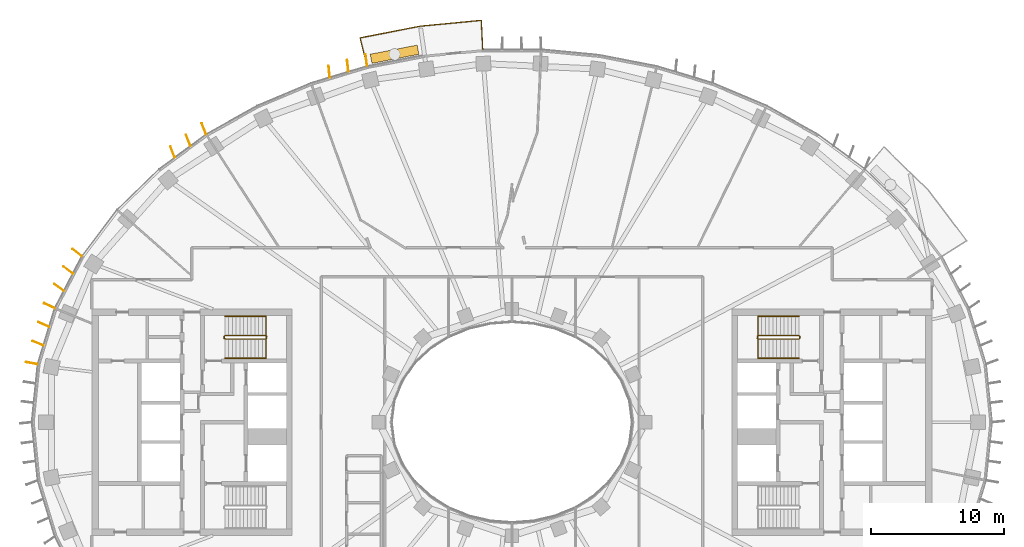
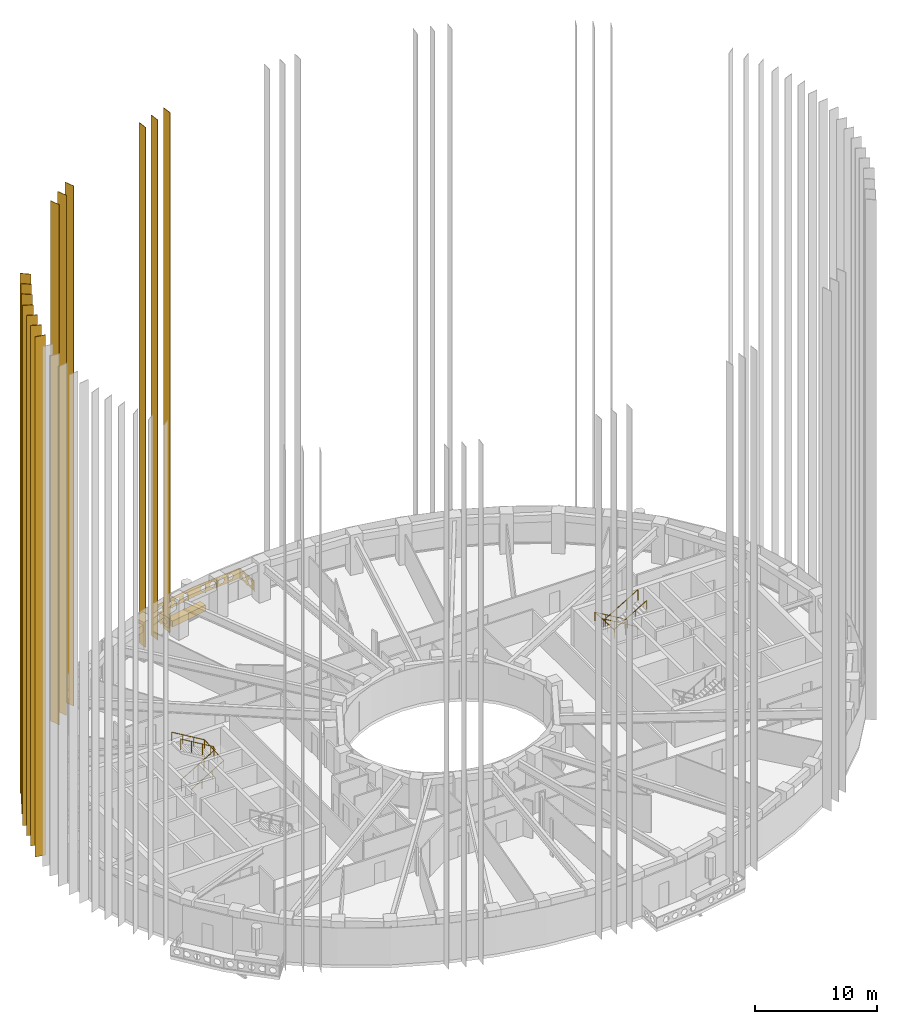
# One storey, part 16 of 19: 14 coverings, 5 railings.
"""IFC4 building model written with IfcOpenShell, lengths in metres."""

from ifc_helpers import new_model, si_unit, direction, frame, origin, origin_2d, place, context, subcontext, project, spatial, polyline, rectangle, outline, extrude, material, material_profile, profile_set, type_object, element, save


model = new_model("IFC4")

# Units and contexts
model_context = context("Model", 3, precision=1e-05, world=origin(), true_north=direction((0.0, 1.0)))
body_context = subcontext(model_context, "Body", "Model", "MODEL_VIEW")
ifc_project = project(units=[si_unit("LENGTHUNIT", "METRE"), si_unit("AREAUNIT", "SQUARE_METRE"), si_unit("VOLUMEUNIT", "CUBIC_METRE"), si_unit("PLANEANGLEUNIT", "RADIAN"), si_unit("MASSUNIT", "GRAM", prefix="KILO")], contexts=[model_context])

# Site, building, storey
site_placement = place(None, origin())
site = spatial("IfcSite", under=ifc_project, at=site_placement, CompositionType="ELEMENT")
building_placement = place(site_placement, origin())
building = spatial("IfcBuilding", under=site, at=building_placement, Name="Noorbagh Ring Tower", CompositionType="ELEMENT")
storey_placement = place(building_placement, frame((0.0, 0.0, 233.5)))
storey = spatial("IfcBuildingStorey", under=building, at=storey_placement, Name="L48", CompositionType="ELEMENT", Elevation=233.5)

# Railings
ifc_material_1 = material(Name="Stainless steel", Category="steel")
railing_type_1 = type_object("IfcRailingType", Name="CORE-STAIR-GUARD", PredefinedType="GUARDRAIL", material=ifc_material_1)
railing_1_placement = place(storey_placement, frame((-21.580078125, 6.300048828125, 0.0)))
element("IfcRailing", 1, at=railing_1_placement, inside=storey, type_object=railing_type_1, Name="L48 ST1 stair guard", PredefinedType="GUARDRAIL", context=body_context, shape_type="SweptSolid", body=[
    extrude(rectangle(XDim=0.048095703125, YDim=0.048095703125, at=origin_2d()), frame((0.0, 0.0, 1.076171875), z_axis=(0.0, 1.0, 0.0), x_axis=(-1.0, 0.0, 0.0)), (0.0, 0.0, 1.0), 0.14990234375),
    extrude(rectangle(XDim=0.048095703125, YDim=0.048095703125, at=origin_2d()), frame((0.0, 0.14990234375, 1.076171875), z_axis=(0.188775798145, -0.754182335027, 0.628945707965), x_axis=(0.970072785993, 0.242814311512, 0.0)), (0.0, 0.0, 1.0), 0.26513671875),
    extrude(rectangle(XDim=0.048095703125, YDim=0.048095703125, at=origin_2d()), frame((0.050048828125, -0.050048828125, 1.24267578125), z_axis=(0.859308565015, 0.0, 0.511457515432), x_axis=(0.0, 1.0, 0.0)), (0.0, 0.0, 1.0), 3.58447265625),
    extrude(rectangle(XDim=0.048095703125, YDim=0.048095703125, at=origin_2d()), frame((3.130126953125, -0.050048828125, 3.076171875), z_axis=(0.707106781187, 0.707106781187, 0.0), x_axis=(-0.707106781187, 0.707106781187, 0.0)), (0.0, 0.0, 1.0), 0.07080078125),
    extrude(rectangle(XDim=0.048095703125, YDim=0.048095703125, at=origin_2d()), frame((3.18017578125, 0.0, 3.076171875), z_axis=(0.0, 1.0, 0.0), x_axis=(-1.0, 0.0, 0.0)), (0.0, 0.0, 1.0), 0.14990234375),
    extrude(rectangle(XDim=0.048095703125, YDim=0.048095703125, at=origin_2d()), frame((3.18017578125, 0.14990234375, 3.076171875), z_axis=(-0.27628659633, 0.27628659633, 0.920506074601), x_axis=(-0.707106781187, -0.707106781187, 0.0)), (0.0, 0.0, 1.0), 0.18115234375),
    extrude(rectangle(XDim=0.048095703125, YDim=0.048095703125, at=origin_2d()), frame((3.130126953125, 0.199951171875, 3.24267578125), z_axis=(-0.859308565015, 0.0, 0.511457515432), x_axis=(0.0, -1.0, 0.0)), (0.0, 0.0, 1.0), 3.58447265625),
    extrude(rectangle(XDim=0.0419921875, YDim=0.0419921875, at=origin_2d()), origin(), (0.0, 0.0, 1.0), 1.052001953125),
    extrude(rectangle(XDim=0.0419921875, YDim=0.0419921875, at=origin_2d()), frame((1.07666015625, -0.050048828125, 0.77783203125)), (0.0, 0.0, 1.0), 1.052001953125),
    extrude(rectangle(XDim=0.0419921875, YDim=0.0419921875, at=origin_2d()), frame((2.103515625, -0.050048828125, 1.388916015625)), (0.0, 0.0, 1.0), 1.052001953125),
    extrude(rectangle(XDim=0.0419921875, YDim=0.0419921875, at=origin_2d()), frame((3.130126953125, -0.050048828125, 2.0)), (0.0, 0.0, 1.0), 1.052001953125),
    extrude(rectangle(XDim=0.0419921875, YDim=0.0419921875, at=origin_2d()), frame((3.130126953125, 0.199951171875, 2.166748046875)), (0.0, 0.0, 1.0), 1.052001953125),
    extrude(rectangle(XDim=0.0419921875, YDim=0.0419921875, at=origin_2d()), frame((2.103515625, 0.199951171875, 2.77783203125)), (0.0, 0.0, 1.0), 1.052001953125),
    extrude(rectangle(XDim=0.0419921875, YDim=0.0419921875, at=origin_2d()), frame((1.07666015625, 0.199951171875, 3.388916015625)), (0.0, 0.0, 1.0), 1.052001953125),
    extrude(rectangle(XDim=0.0419921875, YDim=0.0419921875, at=origin_2d()), frame((0.050048828125, 0.199951171875, 4.0)), (0.0, 0.0, 1.0), 1.052001953125),
])
railing_2_placement = place(storey_placement, frame((21.580078125, 6.449951171875, 0.0)))
element("IfcRailing", 2, at=railing_2_placement, inside=storey, type_object=railing_type_1, Name="L48 ST3 stair guard", PredefinedType="GUARDRAIL", context=body_context, shape_type="SweptSolid", body=[
    extrude(rectangle(XDim=0.048095703125, YDim=0.048095703125, at=origin_2d()), frame((0.0, 0.0, 1.076171875), z_axis=(0.0, -1.0, 0.0), x_axis=(1.0, 0.0, 0.0)), (0.0, 0.0, 1.0), 0.14990234375),
    extrude(rectangle(XDim=0.048095703125, YDim=0.048095703125, at=origin_2d()), frame((0.0, -0.14990234375, 1.076171875), z_axis=(-0.188775798145, 0.754182335027, 0.628945707965), x_axis=(-0.970072785993, -0.242814311512, 0.0)), (0.0, 0.0, 1.0), 0.26513671875),
    extrude(rectangle(XDim=0.048095703125, YDim=0.048095703125, at=origin_2d()), frame((-0.050048828125, 0.050048828125, 1.24267578125), z_axis=(-0.859308565015, 0.0, 0.511457515432), x_axis=(0.0, -1.0, 0.0)), (0.0, 0.0, 1.0), 3.58447265625),
    extrude(rectangle(XDim=0.048095703125, YDim=0.048095703125, at=origin_2d()), frame((-3.130126953125, 0.050048828125, 3.076171875), z_axis=(-0.707106781187, -0.707106781187, 0.0), x_axis=(0.707106781187, -0.707106781187, 0.0)), (0.0, 0.0, 1.0), 0.07080078125),
    extrude(rectangle(XDim=0.048095703125, YDim=0.048095703125, at=origin_2d()), frame((-3.18017578125, 0.0, 3.076171875), z_axis=(0.0, -1.0, 0.0), x_axis=(1.0, 0.0, 0.0)), (0.0, 0.0, 1.0), 0.14990234375),
    extrude(rectangle(XDim=0.048095703125, YDim=0.048095703125, at=origin_2d()), frame((-3.18017578125, -0.14990234375, 3.076171875), z_axis=(0.27628659633, -0.27628659633, 0.920506074601), x_axis=(0.707106781187, 0.707106781187, 0.0)), (0.0, 0.0, 1.0), 0.18115234375),
    extrude(rectangle(XDim=0.048095703125, YDim=0.048095703125, at=origin_2d()), frame((-3.130126953125, -0.199951171875, 3.24267578125), z_axis=(0.859308565015, 0.0, 0.511457515432), x_axis=(0.0, 1.0, 0.0)), (0.0, 0.0, 1.0), 3.58447265625),
    extrude(rectangle(XDim=0.0419921875, YDim=0.0419921875, at=origin_2d()), origin(), (0.0, 0.0, 1.0), 1.052001953125),
    extrude(rectangle(XDim=0.0419921875, YDim=0.0419921875, at=origin_2d()), frame((-1.07666015625, 0.050048828125, 0.77783203125)), (0.0, 0.0, 1.0), 1.052001953125),
    extrude(rectangle(XDim=0.0419921875, YDim=0.0419921875, at=origin_2d()), frame((-2.103515625, 0.050048828125, 1.388916015625)), (0.0, 0.0, 1.0), 1.052001953125),
    extrude(rectangle(XDim=0.0419921875, YDim=0.0419921875, at=origin_2d()), frame((-3.130126953125, 0.050048828125, 2.0)), (0.0, 0.0, 1.0), 1.052001953125),
    extrude(rectangle(XDim=0.0419921875, YDim=0.0419921875, at=origin_2d()), frame((-3.130126953125, -0.199951171875, 2.166748046875)), (0.0, 0.0, 1.0), 1.052001953125),
    extrude(rectangle(XDim=0.0419921875, YDim=0.0419921875, at=origin_2d()), frame((-2.103515625, -0.199951171875, 2.77783203125)), (0.0, 0.0, 1.0), 1.052001953125),
    extrude(rectangle(XDim=0.0419921875, YDim=0.0419921875, at=origin_2d()), frame((-1.07666015625, -0.199951171875, 3.388916015625)), (0.0, 0.0, 1.0), 1.052001953125),
    extrude(rectangle(XDim=0.0419921875, YDim=0.0419921875, at=origin_2d()), frame((-0.050048828125, -0.199951171875, 4.0)), (0.0, 0.0, 1.0), 1.052001953125),
])
ifc_material_2 = material(Name="Stainless steel", Category="steel")
railing_type_2 = type_object("IfcRailingType", Name="CORE-STAIR-HANDRAIL", PredefinedType="HANDRAIL", material=ifc_material_2)
railing_3_placement = place(storey_placement, frame((-21.530029296875, 4.800048828125, 0.166748046875)))
element("IfcRailing", 3, at=railing_3_placement, inside=storey, type_object=railing_type_2, Name="L48 ST1 stair handrail", PredefinedType="HANDRAIL", context=body_context, shape_type="SweptSolid", body=[
    extrude(rectangle(XDim=0.048095703125, YDim=0.048095703125, at=origin_2d()), frame((0.0, 0.0, 0.8759765625), z_axis=(0.859308565015, 0.0, 0.511457515432), x_axis=(0.0, 1.0, 0.0)), (0.0, 0.0, 1.0), 3.58447265625),
    extrude(rectangle(XDim=0.048095703125, YDim=0.048095703125, at=origin_2d()), frame((3.080078125, 0.0, 2.708984375), z_axis=(0.0, 0.998601747152, 0.052863509014), x_axis=(-1.0, 0.0, 0.0)), (0.0, 0.0, 1.0), 3.154296875),
    extrude(rectangle(XDim=0.048095703125, YDim=0.048095703125, at=origin_2d()), frame((3.080078125, 3.14990234375, 2.8759765625), z_axis=(-0.859308565015, 0.0, 0.511457515432), x_axis=(0.0, -1.0, 0.0)), (0.0, 0.0, 1.0), 3.58447265625),
    extrude(rectangle(XDim=0.0419921875, YDim=0.0419921875, at=origin_2d()), origin(), (0.0, 0.0, 1.0), 0.851806640625),
    extrude(rectangle(XDim=0.0419921875, YDim=0.0419921875, at=origin_2d()), frame((1.026611328125, 0.0, 0.611083984375)), (0.0, 0.0, 1.0), 0.851806640625),
    extrude(rectangle(XDim=0.0419921875, YDim=0.0419921875, at=origin_2d()), frame((2.053466796875, 0.0, 1.22216796875)), (0.0, 0.0, 1.0), 0.851806640625),
    extrude(rectangle(XDim=0.0419921875, YDim=0.0419921875, at=origin_2d()), frame((3.080078125, 0.0, 1.833251953125)), (0.0, 0.0, 1.0), 0.851806640625),
    extrude(rectangle(XDim=0.0419921875, YDim=0.0419921875, at=origin_2d()), frame((3.080078125, 1.050048828125, 1.888916015625)), (0.0, 0.0, 1.0), 0.851806640625),
    extrude(rectangle(XDim=0.0419921875, YDim=0.0419921875, at=origin_2d()), frame((3.080078125, 2.099853515625, 1.9443359375)), (0.0, 0.0, 1.0), 0.851806640625),
    extrude(rectangle(XDim=0.0419921875, YDim=0.0419921875, at=origin_2d()), frame((3.080078125, 3.14990234375, 2.0)), (0.0, 0.0, 1.0), 0.851806640625),
    extrude(rectangle(XDim=0.0419921875, YDim=0.0419921875, at=origin_2d()), frame((2.053466796875, 3.14990234375, 2.611083984375)), (0.0, 0.0, 1.0), 0.851806640625),
    extrude(rectangle(XDim=0.0419921875, YDim=0.0419921875, at=origin_2d()), frame((1.026611328125, 3.14990234375, 3.22216796875)), (0.0, 0.0, 1.0), 0.851806640625),
    extrude(rectangle(XDim=0.0419921875, YDim=0.0419921875, at=origin_2d()), frame((0.0, 3.14990234375, 3.833251953125)), (0.0, 0.0, 1.0), 0.851806640625),
])
railing_4_placement = place(storey_placement, frame((21.530029296875, 7.949951171875, 0.166748046875)))
element("IfcRailing", 4, at=railing_4_placement, inside=storey, type_object=railing_type_2, Name="L48 ST3 stair handrail", PredefinedType="HANDRAIL", context=body_context, shape_type="SweptSolid", body=[
    extrude(rectangle(XDim=0.048095703125, YDim=0.048095703125, at=origin_2d()), frame((0.0, 0.0, 0.8759765625), z_axis=(-0.859308565015, 0.0, 0.511457515432), x_axis=(0.0, -1.0, 0.0)), (0.0, 0.0, 1.0), 3.58447265625),
    extrude(rectangle(XDim=0.048095703125, YDim=0.048095703125, at=origin_2d()), frame((-3.080078125, 0.0, 2.708984375), z_axis=(0.0, -0.998601747152, 0.052863509014), x_axis=(1.0, 0.0, 0.0)), (0.0, 0.0, 1.0), 3.154296875),
    extrude(rectangle(XDim=0.048095703125, YDim=0.048095703125, at=origin_2d()), frame((-3.080078125, -3.14990234375, 2.8759765625), z_axis=(0.859308565015, 0.0, 0.511457515432), x_axis=(0.0, 1.0, 0.0)), (0.0, 0.0, 1.0), 3.58447265625),
    extrude(rectangle(XDim=0.0419921875, YDim=0.0419921875, at=origin_2d()), origin(), (0.0, 0.0, 1.0), 0.851806640625),
    extrude(rectangle(XDim=0.0419921875, YDim=0.0419921875, at=origin_2d()), frame((-1.026611328125, 0.0, 0.611083984375)), (0.0, 0.0, 1.0), 0.851806640625),
    extrude(rectangle(XDim=0.0419921875, YDim=0.0419921875, at=origin_2d()), frame((-2.053466796875, 0.0, 1.22216796875)), (0.0, 0.0, 1.0), 0.851806640625),
    extrude(rectangle(XDim=0.0419921875, YDim=0.0419921875, at=origin_2d()), frame((-3.080078125, 0.0, 1.833251953125)), (0.0, 0.0, 1.0), 0.851806640625),
    extrude(rectangle(XDim=0.0419921875, YDim=0.0419921875, at=origin_2d()), frame((-3.080078125, -1.050048828125, 1.888916015625)), (0.0, 0.0, 1.0), 0.851806640625),
    extrude(rectangle(XDim=0.0419921875, YDim=0.0419921875, at=origin_2d()), frame((-3.080078125, -2.099853515625, 1.9443359375)), (0.0, 0.0, 1.0), 0.851806640625),
    extrude(rectangle(XDim=0.0419921875, YDim=0.0419921875, at=origin_2d()), frame((-3.080078125, -3.14990234375, 2.0)), (0.0, 0.0, 1.0), 0.851806640625),
    extrude(rectangle(XDim=0.0419921875, YDim=0.0419921875, at=origin_2d()), frame((-2.053466796875, -3.14990234375, 2.611083984375)), (0.0, 0.0, 1.0), 0.851806640625),
    extrude(rectangle(XDim=0.0419921875, YDim=0.0419921875, at=origin_2d()), frame((-1.026611328125, -3.14990234375, 3.22216796875)), (0.0, 0.0, 1.0), 0.851806640625),
    extrude(rectangle(XDim=0.0419921875, YDim=0.0419921875, at=origin_2d()), frame((0.0, -3.14990234375, 3.833251953125)), (0.0, 0.0, 1.0), 0.851806640625),
])

# Coverings
ifc_material_3 = material(Name="Aluminium 6063-T6 black anodised", Category="aluminium")
ifc_material_profile = material_profile(ifc_material_3, rectangle(XDim=0.89990234375, YDim=0.050048828125, at=origin_2d()), Name="900x50")
ifc_profile_set = profile_set([ifc_material_profile], Name="Aluminium 6063-T6 black anodised")
covering_type_1 = type_object("IfcCoveringType", Name="ENV-FIN", PredefinedType="CLADDING", material=ifc_profile_set)
for number, where, z_axis, x_axis, name in (
    (5, (-10.923583984375, 27.14501953125, -0.284912109375), (0.0, 0.0, 1.0), (-0.126759493419, 0.99193348105, 0.0), "Fin F15 1 L48-L60"),
    (6, (-12.31591796875, 26.72509765625, -0.284912109375), (0.0, 0.0, 1.0), (-0.109101232004, 0.994030643982, 0.0), "Fin F15 2 L48-L60"),
    (7, (-13.708740234375, 26.304931640625, -0.284912109375), (0.0, 0.0, 1.0), (-0.092918421481, 0.995673725148, 0.0), "Fin F15 3 L48-L60"),
    (8, (-23.100830078125, 22.00830078125, -0.284912109375), (0.0, 0.0, 1.0), (-0.365038143381, 0.930992563814, 0.0), "Fin F18 1 L48-L60"),
    (9, (-24.277587890625, 21.1416015625, -0.284912109375), (0.0, 0.0, 1.0), (-0.364533046139, 0.931190452202, 0.0), "Fin F18 2 L48-L60"),
    (10, (-25.455078125, 20.2744140625, -0.284912109375), (0.0, 0.0, 1.0), (-0.366046969104, 0.930596376745, 0.0), "Fin F18 3 L48-L60"),
    (11, (-32.612060546875, 12.71728515625, -0.284912109375), (0.0, 0.0, 1.0), (-0.782643528987, 0.622470165176, 0.0), "Fin F21 1 L48-L60"),
    (12, (-33.291748046875, 11.415771484375, -0.284912109375), (0.0, 0.0, 1.0), (-0.793137535147, 0.609042568579, 0.0), "Fin F21 2 L48-L60"),
    (13, (-33.9716796875, 10.113525390625, -0.284912109375), (0.0, 0.0, 1.0), (-0.804260303023, 0.59427717858, 0.0), "Fin F21 3 L48-L60"),
    (14, (-34.693359375, 8.738525390625, -0.284912109375), (0.0, 0.0, 1.0), (-0.907911558545, 0.419161784827, 0.0), "Fin F22 1 L48-L60"),
    (15, (-35.123291015625, 7.3330078125, -0.284912109375), (0.0, 0.0, 1.0), (-0.916474909008, 0.40009216583, 0.0), "Fin F22 2 L48-L60"),
    (16, (-35.553466796875, 5.92724609375, -0.284912109375), (0.0, 0.0, 1.0), (-0.925000661941, 0.379965492392, 0.0), "Fin F22 3 L48-L60"),
    (17, (-36.0068359375, 4.435546875, -0.284912109375), (0.0, 0.0, 1.0), (-0.985418628789, 0.170147365642, 0.0), "Fin F23 1 L48-L60"),
):
    element("IfcCovering", number, at=place(storey_placement, frame(where, z_axis=z_axis, x_axis=x_axis)), inside=storey, type_object=covering_type_1, Name=name, ObjectType="FIN", PredefinedType="CLADDING", context=body_context, shape_type="SweptSolid", body=[
        extrude(rectangle(XDim=0.89990234375, YDim=0.050048828125, at=origin_2d()), origin(), (0.0, 0.0, 1.0), 51.969970703125),
    ])

# Railing
ifc_material_4 = material(Name="Steel S275 black powder-coated", Category="steel")
railing_type_3 = type_object("IfcRailingType", Name="ENV-GUARD", PredefinedType="GUARDRAIL", material=ifc_material_4)
railing_5_placement = place(storey_placement, frame((-2.193115234375, 27.947998046875, 0.0)))
element("IfcRailing", 18, at=railing_5_placement, inside=storey, type_object=railing_type_3, Name="Balcony guard BN04", PredefinedType="GUARDRAIL", context=body_context, shape_type="SweptSolid", body=[
    extrude(rectangle(XDim=0.048095703125, YDim=0.048095703125, at=origin_2d()), frame((0.0, 0.0, 1.076171875), z_axis=(-0.047554616162, 0.998868639252, 0.0), x_axis=(-0.998868639252, -0.047554616162, 0.0)), (0.0, 0.0, 1.0), 2.202392578125),
    extrude(rectangle(XDim=0.048095703125, YDim=0.048095703125, at=origin_2d()), frame((-0.104736328125, 2.199951171875, 1.076171875), z_axis=(-0.995477555764, -0.094997031379, 0.0), x_axis=(0.094997031379, -0.995477555764, 0.0)), (0.0, 0.0, 1.0), 4.59765625),
    extrude(rectangle(XDim=0.048095703125, YDim=0.048095703125, at=origin_2d()), frame((-4.681640625, 1.76318359375, 1.076171875), z_axis=(-0.981625049064, -0.1908199755, 0.0), x_axis=(0.1908199755, -0.981625049064, 0.0)), (0.0, 0.0, 1.0), 4.603271484375),
    extrude(rectangle(XDim=0.048095703125, YDim=0.048095703125, at=origin_2d()), frame((-9.200439453125, 0.884765625, 1.076171875), z_axis=(0.239848558412, -0.970810315679, 0.0), x_axis=(0.970810315679, 0.239848558412, 0.0)), (0.0, 0.0, 1.0), 2.20263671875),
    extrude(rectangle(XDim=0.0419921875, YDim=0.0419921875, at=origin_2d()), origin(), (0.0, 0.0, 1.0), 1.052001953125),
    extrude(rectangle(XDim=0.0419921875, YDim=0.0419921875, at=origin_2d()), frame((-0.05224609375, 1.10009765625, 0.0)), (0.0, 0.0, 1.0), 1.052001953125),
    extrude(rectangle(XDim=0.0419921875, YDim=0.0419921875, at=origin_2d()), frame((-0.104736328125, 2.199951171875, 0.0)), (0.0, 0.0, 1.0), 1.052001953125),
    extrude(rectangle(XDim=0.0419921875, YDim=0.0419921875, at=origin_2d()), frame((-1.2490234375, 2.0908203125, 0.0)), (0.0, 0.0, 1.0), 1.052001953125),
    extrude(rectangle(XDim=0.0419921875, YDim=0.0419921875, at=origin_2d()), frame((-2.39306640625, 1.9814453125, 0.0)), (0.0, 0.0, 1.0), 1.052001953125),
    extrude(rectangle(XDim=0.0419921875, YDim=0.0419921875, at=origin_2d()), frame((-3.537353515625, 1.872314453125, 0.0)), (0.0, 0.0, 1.0), 1.052001953125),
    extrude(rectangle(XDim=0.0419921875, YDim=0.0419921875, at=origin_2d()), frame((-4.681640625, 1.76318359375, 0.0)), (0.0, 0.0, 1.0), 1.052001953125),
    extrude(rectangle(XDim=0.0419921875, YDim=0.0419921875, at=origin_2d()), frame((-5.811279296875, 1.54345703125, 0.0)), (0.0, 0.0, 1.0), 1.052001953125),
    extrude(rectangle(XDim=0.0419921875, YDim=0.0419921875, at=origin_2d()), frame((-6.94091796875, 1.323974609375, 0.0)), (0.0, 0.0, 1.0), 1.052001953125),
    extrude(rectangle(XDim=0.0419921875, YDim=0.0419921875, at=origin_2d()), frame((-8.07080078125, 1.1044921875, 0.0)), (0.0, 0.0, 1.0), 1.052001953125),
    extrude(rectangle(XDim=0.0419921875, YDim=0.0419921875, at=origin_2d()), frame((-9.200439453125, 0.884765625, 0.0)), (0.0, 0.0, 1.0), 1.052001953125),
    extrude(rectangle(XDim=0.0419921875, YDim=0.0419921875, at=origin_2d()), frame((-8.936279296875, -0.1845703125, 0.0)), (0.0, 0.0, 1.0), 1.052001953125),
    extrude(rectangle(XDim=0.0419921875, YDim=0.0419921875, at=origin_2d()), frame((-8.672119140625, -1.253662109375, 0.0)), (0.0, 0.0, 1.0), 1.052001953125),
    extrude(outline(polyline([(0.0, 0.10009765625), (2.202392578125, 0.10009765625), (2.202392578125, 1.031982421875), (0.0, 1.031982421875), (0.0, 0.10009765625)]), holes=[polyline([(0.961181640625, 0.56591796875), (0.80615234375, 0.83447265625), (0.496337890625, 0.83447265625), (0.34130859375, 0.56591796875), (0.496337890625, 0.297607421875), (0.80615234375, 0.297607421875), (0.961181640625, 0.56591796875)]), polyline([(1.861328125, 0.56591796875), (1.706298828125, 0.83447265625), (1.396240234375, 0.83447265625), (1.2412109375, 0.56591796875), (1.396240234375, 0.297607421875), (1.706298828125, 0.297607421875), (1.861328125, 0.56591796875)])]), frame((-0.010009765625, -0.00048828125, 0.0), z_axis=(0.998868639252, 0.047554616162, 0.0), x_axis=(-0.047554616162, 0.998868639252, 0.0)), (0.0, 0.0, 1.0), 0.02001953125),
    extrude(outline(polyline([(0.0, 0.10009765625), (4.59765625, 0.10009765625), (4.59765625, 1.031982421875), (0.0, 1.031982421875), (0.0, 0.10009765625)]), holes=[polyline([(1.2587890625, 0.56591796875), (1.103759765625, 0.83447265625), (0.7939453125, 0.83447265625), (0.638916015625, 0.56591796875), (0.7939453125, 0.297607421875), (1.103759765625, 0.297607421875), (1.2587890625, 0.56591796875)]), polyline([(2.158935546875, 0.56591796875), (2.00390625, 0.83447265625), (1.69384765625, 0.83447265625), (1.538818359375, 0.56591796875), (1.69384765625, 0.297607421875), (2.00390625, 0.297607421875), (2.158935546875, 0.56591796875)]), polyline([(3.058837890625, 0.56591796875), (2.90380859375, 0.83447265625), (2.59375, 0.83447265625), (2.43896484375, 0.56591796875), (2.59375, 0.297607421875), (2.90380859375, 0.297607421875), (3.058837890625, 0.56591796875)]), polyline([(3.958740234375, 0.56591796875), (3.803955078125, 0.83447265625), (3.493896484375, 0.83447265625), (3.3388671875, 0.56591796875), (3.493896484375, 0.297607421875), (3.803955078125, 0.297607421875), (3.958740234375, 0.56591796875)])]), frame((-0.103759765625, 2.18994140625, 0.0), z_axis=(-0.094997031379, 0.995477555764, 0.0), x_axis=(-0.995477555764, -0.094997031379, 0.0)), (0.0, 0.0, 1.0), 0.02001953125),
    extrude(outline(polyline([(0.0, 0.10009765625), (4.603271484375, 0.10009765625), (4.603271484375, 1.031982421875), (0.0, 1.031982421875), (0.0, 0.10009765625)]), holes=[polyline([(1.26171875, 0.56591796875), (1.106689453125, 0.83447265625), (0.796630859375, 0.83447265625), (0.6416015625, 0.56591796875), (0.796630859375, 0.297607421875), (1.106689453125, 0.297607421875), (1.26171875, 0.56591796875)]), polyline([(2.16162109375, 0.56591796875), (2.006591796875, 0.83447265625), (1.69677734375, 0.83447265625), (1.541748046875, 0.56591796875), (1.69677734375, 0.297607421875), (2.006591796875, 0.297607421875), (2.16162109375, 0.56591796875)]), polyline([(3.061767578125, 0.56591796875), (2.90673828125, 0.83447265625), (2.5966796875, 0.83447265625), (2.441650390625, 0.56591796875), (2.5966796875, 0.297607421875), (2.90673828125, 0.297607421875), (3.061767578125, 0.56591796875)]), polyline([(3.961669921875, 0.56591796875), (3.806640625, 0.83447265625), (3.49658203125, 0.83447265625), (3.341796875, 0.56591796875), (3.49658203125, 0.297607421875), (3.806640625, 0.297607421875), (3.961669921875, 0.56591796875)])]), frame((-4.6796875, 1.75341796875, 0.0), z_axis=(-0.1908199755, 0.981625049064, 0.0), x_axis=(-0.981625049064, -0.1908199755, 0.0)), (0.0, 0.0, 1.0), 0.02001953125),
    extrude(outline(polyline([(0.0, 0.10009765625), (2.20263671875, 0.10009765625), (2.20263671875, 1.031982421875), (0.0, 1.031982421875), (0.0, 0.10009765625)]), holes=[polyline([(0.96142578125, 0.56591796875), (0.806396484375, 0.83447265625), (0.496337890625, 0.83447265625), (0.34130859375, 0.56591796875), (0.496337890625, 0.297607421875), (0.806396484375, 0.297607421875), (0.96142578125, 0.56591796875)]), polyline([(1.861328125, 0.56591796875), (1.706298828125, 0.83447265625), (1.396240234375, 0.83447265625), (1.241455078125, 0.56591796875), (1.396240234375, 0.297607421875), (1.706298828125, 0.297607421875), (1.861328125, 0.56591796875)])]), frame((-9.190673828125, 0.88720703125, 0.0), z_axis=(-0.970810315679, -0.239848558412, 0.0), x_axis=(0.239848558412, -0.970810315679, 0.0)), (0.0, 0.0, 1.0), 0.02001953125),
])

# Covering
ifc_material_5 = material(Name="Concrete C30/37 planter with soil", Category="concrete")
covering_type_2 = type_object("IfcCoveringType", Name="ENV-PLANTER", PredefinedType="CLADDING", material=ifc_material_5)
covering_placement = place(storey_placement, frame((-8.807861328125, 27.603515625, 0.0), z_axis=(0.0, 0.0, 1.0), x_axis=(-0.981624952922, -0.190820470077, 0.0)))
element("IfcCovering", 19, at=covering_placement, inside=storey, type_object=covering_type_2, Name="PLANTER BN04", ObjectType="PLANTER", PredefinedType="CLADDING", context=body_context, shape_type="SweptSolid", body=[
    extrude(rectangle(XDim=3.586181640625, YDim=0.699951171875, at=origin_2d()), origin(), (0.0, 0.0, 1.0), 0.60009765625),
])

save(model, "model.ifc")
